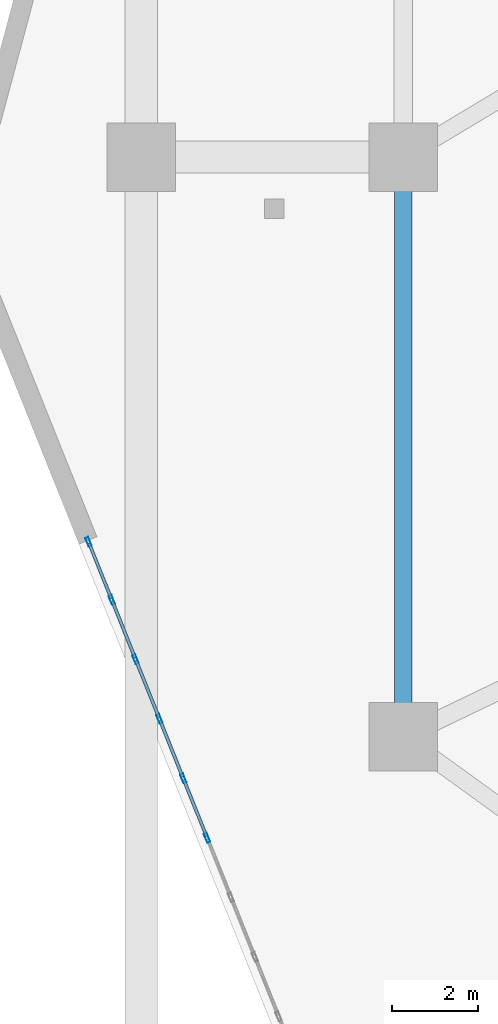
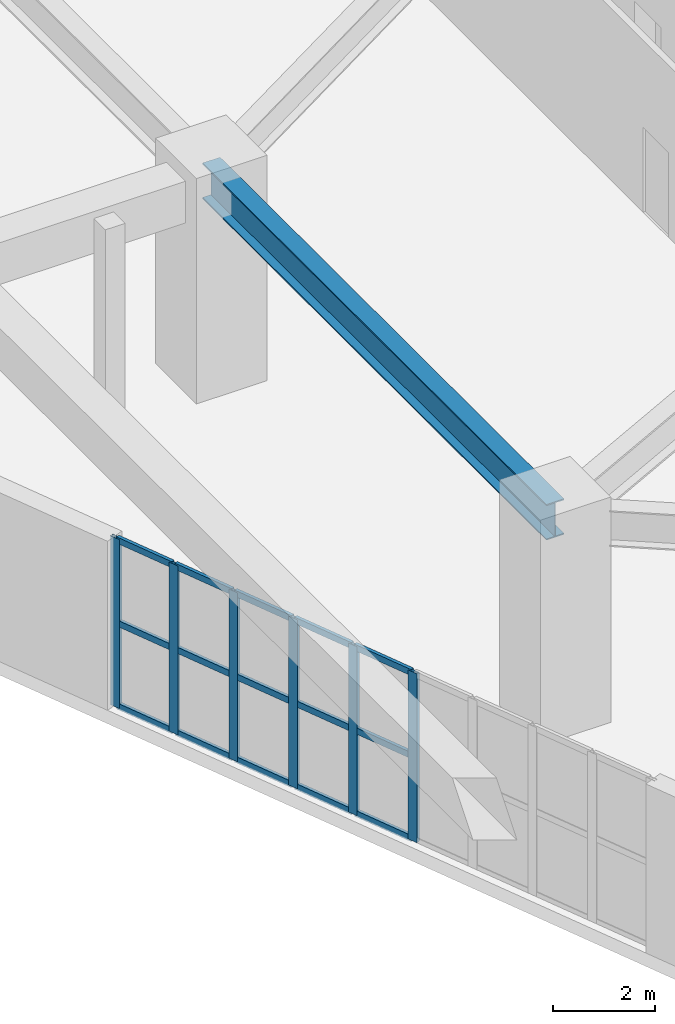
# One storey, part 5 of 34: 21 members, 1 beam, 1 element without a shape of its own.
"""IFC4 building model written with IfcOpenShell, lengths in metres."""

from ifc_helpers import new_model, si_unit, direction, frame, origin, origin_2d, place, context, subcontext, project, spatial, hollow_rectangle, i_section, extrude, material, layer, layer_set, material_profile, profile_set, type_object, element, aggregate, save


model = new_model("IFC4")

# Units and contexts
model_context = context("Model", 3, precision=1e-05, world=origin(), true_north=direction((0.0, 1.0)))
body_context = subcontext(model_context, "Body", "Model", "MODEL_VIEW")
ifc_project = project(units=[si_unit("LENGTHUNIT", "METRE"), si_unit("AREAUNIT", "SQUARE_METRE"), si_unit("VOLUMEUNIT", "CUBIC_METRE"), si_unit("PLANEANGLEUNIT", "RADIAN"), si_unit("MASSUNIT", "GRAM", prefix="KILO")], contexts=[model_context])

# Site, building, storey
site_placement = place(None, origin())
site = spatial("IfcSite", under=ifc_project, at=site_placement, CompositionType="ELEMENT")
building_placement = place(site_placement, origin())
building = spatial("IfcBuilding", under=site, at=building_placement, Name="Kilnhurst Terrace Hotel", CompositionType="ELEMENT")
storey_placement = place(building_placement, frame((0.0, 0.0, 6.0)))
storey = spatial("IfcBuildingStorey", under=building, at=storey_placement, Name="L01", CompositionType="ELEMENT", Elevation=6.0)

# Beam
ifc_material_1 = material(Name="Steel ASTM A992 Grade 50", Category="steel")
ifc_material_profile_1 = material_profile(ifc_material_1, i_section(OverallWidth=0.39990234375, OverallDepth=0.85546875, WebThickness=0.018310546875, FlangeThickness=0.029296875, at=origin_2d()), Name="W33X201")
ifc_profile_set_1 = profile_set([ifc_material_profile_1], Name="Steel ASTM A992 Grade 50")
beam_type = type_object("IfcBeamType", Name="BM-STL-W33X201", PredefinedType="BEAM", material=ifc_profile_set_1)
beam_placement = place(storey_placement, frame((-21.5, -13.5, 4.652099609375), z_axis=(0.0, 1.0, 0.0), x_axis=(-1.0, 0.0, 0.0)))
element("IfcBeam", 1, at=beam_placement, inside=storey, type_object=beam_type, Name="L01 Podium Frame Beam 1", PredefinedType="BEAM", context=body_context, shape_type="SweptSolid", body=[
    extrude(i_section(OverallWidth=0.39990234375, OverallDepth=0.85546875, WebThickness=0.018310546875, FlangeThickness=0.029296875, at=origin_2d()), origin(), (0.0, 0.0, 1.0), 13.5),
])

# Curtain wall, members
ifc_material_2 = material(Name="Anodized Aluminium Alloy 6063-T6 and Low-E Glass", Category="aluminium")
ifc_layer = layer(ifc_material_2, 0.219970703125, Name="Anodized Aluminium Alloy 6063-T6 and Low-E Glass")
ifc_layer_set = layer_set([ifc_layer], Name="Anodized Aluminium Alloy 6063-T6 and Low-E Glass")
curtain_wall_type = type_object("IfcCurtainWallType", Name="CW-POD-LOBBY", PredefinedType="NOTDEFINED", material=ifc_layer_set)
curtain_wall_placement = place(storey_placement, origin())
curtain_wall = element("IfcCurtainWall", 2, at=curtain_wall_placement, inside=storey, type_object=curtain_wall_type, Name="L01 Curtain Wall CW-L01-F6-1", PredefinedType="NOTDEFINED")
ifc_material_3 = material(Name="Extruded Aluminium Alloy 6063-T6", Category="aluminium")
ifc_material_profile_2 = material_profile(ifc_material_3, hollow_rectangle(XDim=0.074951171875, YDim=0.219970703125, WallThickness=0.00390625, at=origin_2d()), Name="CWM75X220")
ifc_profile_set_2 = profile_set([ifc_material_profile_2], Name="Extruded Aluminium Alloy 6063-T6")
member_type_1 = type_object("IfcMemberType", Name="MEM-CWM75X220", PredefinedType="MULLION", material=ifc_profile_set_2)
member_1_placement = place(storey_placement, frame((-28.828125, -8.961181640625, 0.0), z_axis=(0.0, 0.0, 1.0), x_axis=(0.928250672463, 0.371955224552, 0.0)))
member_1 = element("IfcMember", 3, at=member_1_placement, type_object=member_type_1, Name="CWL-1 mullion 1", PredefinedType="MULLION", context=body_context, shape_type="SweptSolid", body=[
    extrude(hollow_rectangle(XDim=0.074951171875, YDim=0.219970703125, WallThickness=0.00390625, at=origin_2d()), origin(), (0.0, 0.0, 1.0), 4.050048828125),
])
member_2_placement = place(storey_placement, frame((-28.28662109375, -10.31201171875, 0.0), z_axis=(0.0, 0.0, 1.0), x_axis=(0.928250672463, 0.371955224552, 0.0)))
member_2 = element("IfcMember", 4, at=member_2_placement, type_object=member_type_1, Name="CWL-1 mullion 2", PredefinedType="MULLION", context=body_context, shape_type="SweptSolid", body=[
    extrude(hollow_rectangle(XDim=0.074951171875, YDim=0.219970703125, WallThickness=0.00390625, at=origin_2d()), origin(), (0.0, 0.0, 1.0), 4.050048828125),
])
member_3_placement = place(storey_placement, frame((-27.7314453125, -11.69775390625, 0.0), z_axis=(0.0, 0.0, 1.0), x_axis=(0.928250672463, 0.371955224552, 0.0)))
member_3 = element("IfcMember", 5, at=member_3_placement, type_object=member_type_1, Name="CWL-1 mullion 3", PredefinedType="MULLION", context=body_context, shape_type="SweptSolid", body=[
    extrude(hollow_rectangle(XDim=0.074951171875, YDim=0.219970703125, WallThickness=0.00390625, at=origin_2d()), origin(), (0.0, 0.0, 1.0), 4.050048828125),
])
member_4_placement = place(storey_placement, frame((-27.176025390625, -13.083740234375, 0.0), z_axis=(0.0, 0.0, 1.0), x_axis=(0.928250672463, 0.371955224552, 0.0)))
member_4 = element("IfcMember", 6, at=member_4_placement, type_object=member_type_1, Name="CWL-1 mullion 4", PredefinedType="MULLION", context=body_context, shape_type="SweptSolid", body=[
    extrude(hollow_rectangle(XDim=0.074951171875, YDim=0.219970703125, WallThickness=0.00390625, at=origin_2d()), origin(), (0.0, 0.0, 1.0), 4.050048828125),
])
member_5_placement = place(storey_placement, frame((-26.620849609375, -14.469482421875, 0.0), z_axis=(0.0, 0.0, 1.0), x_axis=(0.928250672463, 0.371955224552, 0.0)))
member_5 = element("IfcMember", 7, at=member_5_placement, type_object=member_type_1, Name="CWL-1 mullion 5", PredefinedType="MULLION", context=body_context, shape_type="SweptSolid", body=[
    extrude(hollow_rectangle(XDim=0.074951171875, YDim=0.219970703125, WallThickness=0.00390625, at=origin_2d()), origin(), (0.0, 0.0, 1.0), 4.050048828125),
])
member_6_placement = place(storey_placement, frame((-26.065673828125, -15.855224609375, 0.0), z_axis=(0.0, 0.0, 1.0), x_axis=(0.928250672463, 0.371955224552, 0.0)))
member_6 = element("IfcMember", 8, at=member_6_placement, type_object=member_type_1, Name="CWL-1 mullion 6", PredefinedType="MULLION", context=body_context, shape_type="SweptSolid", body=[
    extrude(hollow_rectangle(XDim=0.074951171875, YDim=0.219970703125, WallThickness=0.00390625, at=origin_2d()), origin(), (0.0, 0.0, 1.0), 4.050048828125),
])
ifc_material_profile_3 = material_profile(ifc_material_3, hollow_rectangle(XDim=0.074951171875, YDim=0.14990234375, WallThickness=0.00390625, at=origin_2d()), Name="CWT75X150")
ifc_profile_set_3 = profile_set([ifc_material_profile_3], Name="Extruded Aluminium Alloy 6063-T6")
member_type_2 = type_object("IfcMemberType", Name="MEM-CWT75X150", PredefinedType="USERDEFINED", material=ifc_profile_set_3)
member_7_placement = place(storey_placement, frame((-28.814208984375, -8.995849609375, 0.03759765625), z_axis=(0.371908962746, -0.928269208489, 0.0), x_axis=(0.928269208489, 0.371908962746, 0.0)))
member_7 = element("IfcMember", 9, at=member_7_placement, type_object=member_type_2, Name="CWL-1 transom 1.1", ObjectType="TRANSOM", PredefinedType="USERDEFINED", context=body_context, shape_type="SweptSolid", body=[
    extrude(hollow_rectangle(XDim=0.074951171875, YDim=0.14990234375, WallThickness=0.00390625, at=origin_2d()), origin(), (0.0, 0.0, 1.0), 1.380615234375),
])
member_8_placement = place(storey_placement, frame((-28.814208984375, -8.995849609375, 2.02490234375), z_axis=(0.371908962746, -0.928269208489, 0.0), x_axis=(0.928269208489, 0.371908962746, 0.0)))
member_8 = element("IfcMember", 10, at=member_8_placement, type_object=member_type_2, Name="CWL-1 transom 1.2", ObjectType="TRANSOM", PredefinedType="USERDEFINED", context=body_context, shape_type="SweptSolid", body=[
    extrude(hollow_rectangle(XDim=0.074951171875, YDim=0.14990234375, WallThickness=0.00390625, at=origin_2d()), origin(), (0.0, 0.0, 1.0), 1.380615234375),
])
member_9_placement = place(storey_placement, frame((-28.814208984375, -8.995849609375, 4.012451171875), z_axis=(0.371908962746, -0.928269208489, 0.0), x_axis=(0.928269208489, 0.371908962746, 0.0)))
member_9 = element("IfcMember", 11, at=member_9_placement, type_object=member_type_2, Name="CWL-1 transom 1.3", ObjectType="TRANSOM", PredefinedType="USERDEFINED", context=body_context, shape_type="SweptSolid", body=[
    extrude(hollow_rectangle(XDim=0.074951171875, YDim=0.14990234375, WallThickness=0.00390625, at=origin_2d()), origin(), (0.0, 0.0, 1.0), 1.380615234375),
])
member_10_placement = place(storey_placement, frame((-28.272705078125, -10.346923828125, 0.03759765625), z_axis=(0.371924989829, -0.928262787114, 0.0), x_axis=(0.928262787114, 0.371924989829, 0.0)))
member_10 = element("IfcMember", 12, at=member_10_placement, type_object=member_type_2, Name="CWL-1 transom 2.1", ObjectType="TRANSOM", PredefinedType="USERDEFINED", context=body_context, shape_type="SweptSolid", body=[
    extrude(hollow_rectangle(XDim=0.074951171875, YDim=0.14990234375, WallThickness=0.00390625, at=origin_2d()), origin(), (0.0, 0.0, 1.0), 1.41796875),
])
member_11_placement = place(storey_placement, frame((-28.272705078125, -10.346923828125, 2.02490234375), z_axis=(0.371924989829, -0.928262787114, 0.0), x_axis=(0.928262787114, 0.371924989829, 0.0)))
member_11 = element("IfcMember", 13, at=member_11_placement, type_object=member_type_2, Name="CWL-1 transom 2.2", ObjectType="TRANSOM", PredefinedType="USERDEFINED", context=body_context, shape_type="SweptSolid", body=[
    extrude(hollow_rectangle(XDim=0.074951171875, YDim=0.14990234375, WallThickness=0.00390625, at=origin_2d()), origin(), (0.0, 0.0, 1.0), 1.41796875),
])
member_12_placement = place(storey_placement, frame((-28.272705078125, -10.346923828125, 4.012451171875), z_axis=(0.371924989829, -0.928262787114, 0.0), x_axis=(0.928262787114, 0.371924989829, 0.0)))
member_12 = element("IfcMember", 14, at=member_12_placement, type_object=member_type_2, Name="CWL-1 transom 2.3", ObjectType="TRANSOM", PredefinedType="USERDEFINED", context=body_context, shape_type="SweptSolid", body=[
    extrude(hollow_rectangle(XDim=0.074951171875, YDim=0.14990234375, WallThickness=0.00390625, at=origin_2d()), origin(), (0.0, 0.0, 1.0), 1.41796875),
])
member_13_placement = place(storey_placement, frame((-27.717529296875, -11.732666015625, 0.03759765625), z_axis=(0.371924989829, -0.928262787114, 0.0), x_axis=(0.928262787114, 0.371924989829, 0.0)))
member_13 = element("IfcMember", 15, at=member_13_placement, type_object=member_type_2, Name="CWL-1 transom 3.1", ObjectType="TRANSOM", PredefinedType="USERDEFINED", context=body_context, shape_type="SweptSolid", body=[
    extrude(hollow_rectangle(XDim=0.074951171875, YDim=0.14990234375, WallThickness=0.00390625, at=origin_2d()), origin(), (0.0, 0.0, 1.0), 1.41796875),
])
member_14_placement = place(storey_placement, frame((-27.717529296875, -11.732666015625, 2.02490234375), z_axis=(0.371924989829, -0.928262787114, 0.0), x_axis=(0.928262787114, 0.371924989829, 0.0)))
member_14 = element("IfcMember", 16, at=member_14_placement, type_object=member_type_2, Name="CWL-1 transom 3.2", ObjectType="TRANSOM", PredefinedType="USERDEFINED", context=body_context, shape_type="SweptSolid", body=[
    extrude(hollow_rectangle(XDim=0.074951171875, YDim=0.14990234375, WallThickness=0.00390625, at=origin_2d()), origin(), (0.0, 0.0, 1.0), 1.41796875),
])
member_15_placement = place(storey_placement, frame((-27.717529296875, -11.732666015625, 4.012451171875), z_axis=(0.371924989829, -0.928262787114, 0.0), x_axis=(0.928262787114, 0.371924989829, 0.0)))
member_15 = element("IfcMember", 17, at=member_15_placement, type_object=member_type_2, Name="CWL-1 transom 3.3", ObjectType="TRANSOM", PredefinedType="USERDEFINED", context=body_context, shape_type="SweptSolid", body=[
    extrude(hollow_rectangle(XDim=0.074951171875, YDim=0.14990234375, WallThickness=0.00390625, at=origin_2d()), origin(), (0.0, 0.0, 1.0), 1.41796875),
])
member_16_placement = place(storey_placement, frame((-27.162109375, -13.118408203125, 0.03759765625), z_axis=(0.371924989829, -0.928262787114, 0.0), x_axis=(0.928262787114, 0.371924989829, 0.0)))
member_16 = element("IfcMember", 18, at=member_16_placement, type_object=member_type_2, Name="CWL-1 transom 4.1", ObjectType="TRANSOM", PredefinedType="USERDEFINED", context=body_context, shape_type="SweptSolid", body=[
    extrude(hollow_rectangle(XDim=0.074951171875, YDim=0.14990234375, WallThickness=0.00390625, at=origin_2d()), origin(), (0.0, 0.0, 1.0), 1.41796875),
])
member_17_placement = place(storey_placement, frame((-27.162109375, -13.118408203125, 2.02490234375), z_axis=(0.371924989829, -0.928262787114, 0.0), x_axis=(0.928262787114, 0.371924989829, 0.0)))
member_17 = element("IfcMember", 19, at=member_17_placement, type_object=member_type_2, Name="CWL-1 transom 4.2", ObjectType="TRANSOM", PredefinedType="USERDEFINED", context=body_context, shape_type="SweptSolid", body=[
    extrude(hollow_rectangle(XDim=0.074951171875, YDim=0.14990234375, WallThickness=0.00390625, at=origin_2d()), origin(), (0.0, 0.0, 1.0), 1.41796875),
])
member_18_placement = place(storey_placement, frame((-27.162109375, -13.118408203125, 4.012451171875), z_axis=(0.371924989829, -0.928262787114, 0.0), x_axis=(0.928262787114, 0.371924989829, 0.0)))
member_18 = element("IfcMember", 20, at=member_18_placement, type_object=member_type_2, Name="CWL-1 transom 4.3", ObjectType="TRANSOM", PredefinedType="USERDEFINED", context=body_context, shape_type="SweptSolid", body=[
    extrude(hollow_rectangle(XDim=0.074951171875, YDim=0.14990234375, WallThickness=0.00390625, at=origin_2d()), origin(), (0.0, 0.0, 1.0), 1.41796875),
])
member_19_placement = place(storey_placement, frame((-26.60693359375, -14.504150390625, 0.03759765625), z_axis=(0.371924989829, -0.928262787114, 0.0), x_axis=(0.928262787114, 0.371924989829, 0.0)))
member_19 = element("IfcMember", 21, at=member_19_placement, type_object=member_type_2, Name="CWL-1 transom 5.1", ObjectType="TRANSOM", PredefinedType="USERDEFINED", context=body_context, shape_type="SweptSolid", body=[
    extrude(hollow_rectangle(XDim=0.074951171875, YDim=0.14990234375, WallThickness=0.00390625, at=origin_2d()), origin(), (0.0, 0.0, 1.0), 1.41796875),
])
member_20_placement = place(storey_placement, frame((-26.60693359375, -14.504150390625, 2.02490234375), z_axis=(0.371924989829, -0.928262787114, 0.0), x_axis=(0.928262787114, 0.371924989829, 0.0)))
member_20 = element("IfcMember", 22, at=member_20_placement, type_object=member_type_2, Name="CWL-1 transom 5.2", ObjectType="TRANSOM", PredefinedType="USERDEFINED", context=body_context, shape_type="SweptSolid", body=[
    extrude(hollow_rectangle(XDim=0.074951171875, YDim=0.14990234375, WallThickness=0.00390625, at=origin_2d()), origin(), (0.0, 0.0, 1.0), 1.41796875),
])
member_21_placement = place(storey_placement, frame((-26.60693359375, -14.504150390625, 4.012451171875), z_axis=(0.371924989829, -0.928262787114, 0.0), x_axis=(0.928262787114, 0.371924989829, 0.0)))
member_21 = element("IfcMember", 23, at=member_21_placement, type_object=member_type_2, Name="CWL-1 transom 5.3", ObjectType="TRANSOM", PredefinedType="USERDEFINED", context=body_context, shape_type="SweptSolid", body=[
    extrude(hollow_rectangle(XDim=0.074951171875, YDim=0.14990234375, WallThickness=0.00390625, at=origin_2d()), origin(), (0.0, 0.0, 1.0), 1.41796875),
])
aggregate(curtain_wall, [member_1, member_2, member_3, member_4, member_5, member_6, member_7, member_8, member_9, member_10, member_11, member_12, member_13, member_14, member_15, member_16, member_17, member_18, member_19, member_20, member_21])

save(model, "model.ifc")
